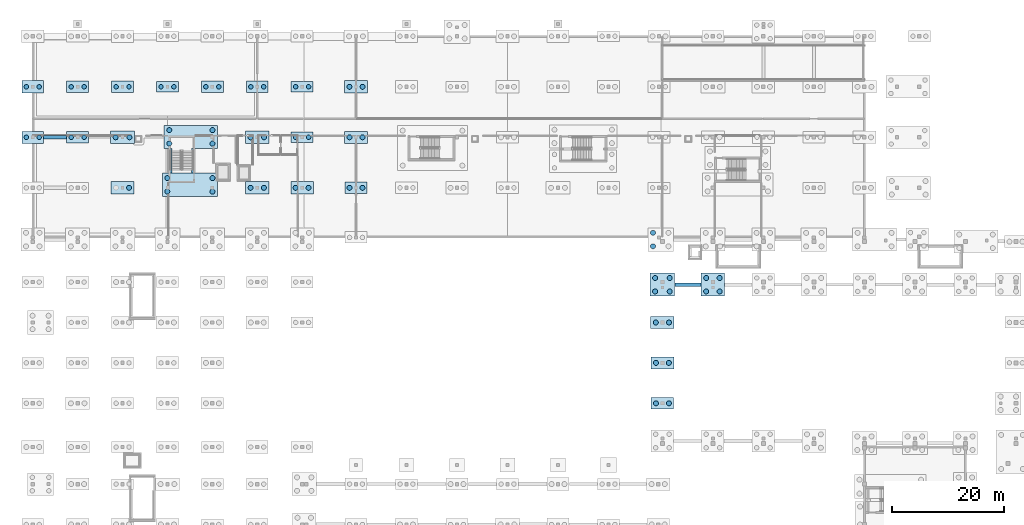
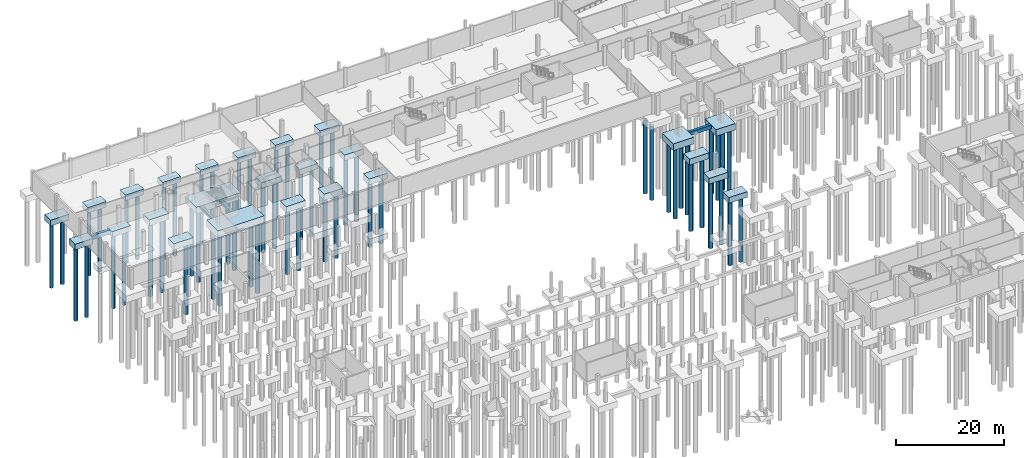
# One storey, part 7 of 36: 59 piles, 29 footings.
"""IFC4 building model written with IfcOpenShell, lengths in metres."""

from ifc_helpers import new_model, si_unit, direction, frame, origin, origin_2d, place, context, subcontext, project, spatial, rectangle, circle, extrude, material, layer, layer_set, material_profile, profile_set, type_object, element, save


model = new_model("IFC4")

# Units and contexts
model_context = context("Model", 3, precision=1e-05, world=origin(), true_north=direction((0.0, 1.0)))
body_context = subcontext(model_context, "Body", "Model", "MODEL_VIEW")
ifc_project = project(units=[si_unit("LENGTHUNIT", "METRE"), si_unit("AREAUNIT", "SQUARE_METRE"), si_unit("VOLUMEUNIT", "CUBIC_METRE"), si_unit("PLANEANGLEUNIT", "RADIAN"), si_unit("MASSUNIT", "GRAM", prefix="KILO")], contexts=[model_context])

# Site, building, storey
site_placement = place(None, origin())
site = spatial("IfcSite", under=ifc_project, at=site_placement, CompositionType="ELEMENT")
building_placement = place(site_placement, origin())
building = spatial("IfcBuilding", under=site, at=building_placement, Name="Chiffa Square Polytechnic", CompositionType="ELEMENT")
storey_placement = place(building_placement, frame((0.0, 0.0, -4.5)))
storey = spatial("IfcBuildingStorey", under=building, at=storey_placement, Name="B1", CompositionType="ELEMENT", Elevation=-4.5)

# Footings
ifc_material = material(Name="Concrete C35/45", Category="concrete")
ifc_layer_1 = layer(ifc_material, 0.8349609375, Name="Concrete C35/45")
ifc_layer_set_1 = layer_set([ifc_layer_1], Name="Concrete C35/45")
footing_type_1 = type_object("IfcFootingType", Name="FTG-BEAM-600X835", PredefinedType="FOOTING_BEAM", material=ifc_layer_set_1)
footing_1_placement = place(storey_placement, frame((116.75, 86.52490234375, -0.83544921875), z_axis=(0.0, 0.0, 1.0), x_axis=(1.0, 0.0, 0.0)))
element("IfcFooting", 1, at=footing_1_placement, inside=storey, type_object=footing_type_1, Name="Footing tie beam FB-B1-032", PredefinedType="FOOTING_BEAM", context=body_context, shape_type="SweptSolid", body=[
    extrude(rectangle(XDim=4.68994140625, YDim=0.60009765625, at=origin_2d()), origin(), (0.0, 0.0, 1.0), 0.8349609375),
])
ifc_layer_2 = layer(ifc_material, 0.93505859375, Name="Concrete C35/45")
ifc_layer_set_2 = layer_set([ifc_layer_2], Name="Concrete C35/45")
footing_type_2 = type_object("IfcFootingType", Name="FTG-BEAM-680X935", PredefinedType="FOOTING_BEAM", material=ifc_layer_set_2)
footing_2_placement = place(storey_placement, frame((4.0, 112.800048828125, -0.935546875), z_axis=(0.0, 0.0, 1.0), x_axis=(1.0, 0.0, 0.0)))
element("IfcFooting", 2, at=footing_2_placement, inside=storey, type_object=footing_type_2, Name="Footing tie beam FB-B1-048", PredefinedType="FOOTING_BEAM", context=body_context, shape_type="SweptSolid", body=[
    extrude(rectangle(XDim=4.090087890625, YDim=0.679931640625, at=origin_2d()), origin(), (0.0, 0.0, 1.0), 0.93505859375),
])
ifc_layer_3 = layer(ifc_material, 0.60009765625, Name="Concrete C35/45")
ifc_layer_set_3 = layer_set([ifc_layer_3], Name="Concrete C35/45")
footing_type_3 = type_object("IfcFootingType", Name="FTG-PAD-620X4360X600", PredefinedType="PAD_FOOTING", material=ifc_layer_set_3)
for number, where, z_axis, x_axis, name in (
    (3, (24.47998046875, 108.625, -0.60009765625), (0.0, 0.0, 1.0), (1.0, 0.0, 0.0), "Core pad footing PFG-CORE-CORE-V5A-W1"),
    (4, (28.6201171875, 108.625, -0.60009765625), (0.0, 0.0, 1.0), (1.0, 0.0, 0.0), "Core pad footing PFG-CORE-CORE-V5A-E1"),
):
    element("IfcFooting", number, at=place(storey_placement, frame(where, z_axis=z_axis, x_axis=x_axis)), inside=storey, type_object=footing_type_3, Name=name, PredefinedType="PAD_FOOTING", context=body_context, shape_type="SweptSolid", body=[
        extrude(rectangle(XDim=0.6201171875, YDim=4.360107421875, at=origin_2d()), origin(), (0.0, 0.0, 1.0), 0.60009765625),
    ])
ifc_layer_4 = layer(ifc_material, 1.199951171875, Name="Concrete C35/45")
ifc_layer_set_4 = layer_set([ifc_layer_4], Name="Concrete C35/45")
footing_type_4 = type_object("IfcFootingType", Name="FTG-PC-3900X1900X1200", PredefinedType="PILE_CAP", material=ifc_layer_set_4)
for number, where, z_axis, x_axis, name in (
    (5, (24.0, 121.800048828125, -1.2001953125), (0.0, 0.0, 1.0), (1.0, 0.0, 0.0), "Pile cap PC-B1-129"),
    (6, (48.0, 112.800048828125, -1.2001953125), (0.0, 0.0, 1.0), (1.0, 0.0, 0.0), "Pile cap PC-B1-141"),
):
    element("IfcFooting", number, at=place(storey_placement, frame(where, z_axis=z_axis, x_axis=x_axis)), inside=storey, type_object=footing_type_4, Name=name, PredefinedType="PILE_CAP", context=body_context, shape_type="SweptSolid", body=[
        extrude(rectangle(XDim=3.89990234375, YDim=1.89990234375, at=origin_2d()), origin(), (0.0, 0.0, 1.0), 1.199951171875),
    ])
ifc_layer_5 = layer(ifc_material, 1.199951171875, Name="Concrete C35/45")
ifc_layer_set_5 = layer_set([ifc_layer_5], Name="Concrete C35/45")
footing_type_5 = type_object("IfcFootingType", Name="FTG-PC-3900X1950X1200", PredefinedType="PILE_CAP", material=ifc_layer_set_5)
footing_3_placement = place(storey_placement, frame((48.0, 121.800048828125, -1.2001953125), z_axis=(0.0, 0.0, 1.0), x_axis=(1.0, 0.0, 0.0)))
element("IfcFooting", 7, at=footing_3_placement, inside=storey, type_object=footing_type_5, Name="Pile cap PC-B1-142", PredefinedType="PILE_CAP", context=body_context, shape_type="SweptSolid", body=[
    extrude(rectangle(XDim=3.89990234375, YDim=1.949951171875, at=origin_2d()), origin(), (0.0, 0.0, 1.0), 1.199951171875),
])
ifc_layer_6 = layer(ifc_material, 1.25, Name="Concrete C35/45")
ifc_layer_set_6 = layer_set([ifc_layer_6], Name="Concrete C35/45")
footing_type_6 = type_object("IfcFootingType", Name="FTG-PC-3900X2000X1250", PredefinedType="PILE_CAP", material=ifc_layer_set_6)
footing_4_placement = place(storey_placement, frame((8.0, 112.800048828125, -1.25), z_axis=(0.0, 0.0, 1.0), x_axis=(1.0, 0.0, 0.0)))
element("IfcFooting", 8, at=footing_4_placement, inside=storey, type_object=footing_type_6, Name="Pile cap PC-B1-119", PredefinedType="PILE_CAP", context=body_context, shape_type="SweptSolid", body=[
    extrude(rectangle(XDim=3.89990234375, YDim=2.0, at=origin_2d()), origin(), (0.0, 0.0, 1.0), 1.25),
])
ifc_layer_7 = layer(ifc_material, 1.219970703125, Name="Concrete C35/45")
ifc_layer_set_7 = layer_set([ifc_layer_7], Name="Concrete C35/45")
footing_type_7 = type_object("IfcFootingType", Name="FTG-PC-3900X2050X1220", PredefinedType="PILE_CAP", material=ifc_layer_set_7)
for number, where, z_axis, x_axis, name in (
    (9, (16.0, 121.800048828125, -1.22021484375), (0.0, 0.0, 1.0), (1.0, 0.0, 0.0), "Pile cap PC-B1-125"),
    (10, (40.0, 121.800048828125, -1.22021484375), (0.0, 0.0, 1.0), (1.0, 0.0, 0.0), "Pile cap PC-B1-137"),
):
    element("IfcFooting", number, at=place(storey_placement, frame(where, z_axis=z_axis, x_axis=x_axis)), inside=storey, type_object=footing_type_7, Name=name, PredefinedType="PILE_CAP", context=body_context, shape_type="SweptSolid", body=[
        extrude(rectangle(XDim=3.89990234375, YDim=2.050048828125, at=origin_2d()), origin(), (0.0, 0.0, 1.0), 1.219970703125),
    ])
ifc_layer_8 = layer(ifc_material, 1.25, Name="Concrete C35/45")
ifc_layer_set_8 = layer_set([ifc_layer_8], Name="Concrete C35/45")
footing_type_8 = type_object("IfcFootingType", Name="FTG-PC-3900X2050X1250", PredefinedType="PILE_CAP", material=ifc_layer_set_8)
for number, where, z_axis, x_axis, name in (
    (11, (8.0, 121.800048828125, -1.25), (0.0, 0.0, 1.0), (1.0, 0.0, 0.0), "Pile cap PC-B1-120"),
    (12, (32.0, 121.800048828125, -1.25), (0.0, 0.0, 1.0), (1.0, 0.0, 0.0), "Pile cap PC-B1-132"),
):
    element("IfcFooting", number, at=place(storey_placement, frame(where, z_axis=z_axis, x_axis=x_axis)), inside=storey, type_object=footing_type_8, Name=name, PredefinedType="PILE_CAP", context=body_context, shape_type="SweptSolid", body=[
        extrude(rectangle(XDim=3.89990234375, YDim=2.050048828125, at=origin_2d()), origin(), (0.0, 0.0, 1.0), 1.25),
    ])
ifc_layer_9 = layer(ifc_material, 1.280029296875, Name="Concrete C35/45")
ifc_layer_set_9 = layer_set([ifc_layer_9], Name="Concrete C35/45")
footing_type_9 = type_object("IfcFootingType", Name="FTG-PC-3900X2150X1280", PredefinedType="PILE_CAP", material=ifc_layer_set_9)
footing_5_placement = place(storey_placement, frame((0.0, 112.800048828125, -1.27978515625), z_axis=(0.0, 0.0, 1.0), x_axis=(1.0, 0.0, 0.0)))
element("IfcFooting", 13, at=footing_5_placement, inside=storey, type_object=footing_type_9, Name="Pile cap PC-B1-114", PredefinedType="PILE_CAP", context=body_context, shape_type="SweptSolid", body=[
    extrude(rectangle(XDim=3.89990234375, YDim=2.14990234375, at=origin_2d()), origin(), (0.0, 0.0, 1.0), 1.280029296875),
])
ifc_layer_10 = layer(ifc_material, 1.320068359375, Name="Concrete C35/45")
ifc_layer_set_10 = layer_set([ifc_layer_10], Name="Concrete C35/45")
footing_type_10 = type_object("IfcFootingType", Name="FTG-PC-3900X2250X1320", PredefinedType="PILE_CAP", material=ifc_layer_set_10)
footing_6_placement = place(storey_placement, frame((0.0, 121.800048828125, -1.31982421875), z_axis=(0.0, 0.0, 1.0), x_axis=(1.0, 0.0, 0.0)))
element("IfcFooting", 14, at=footing_6_placement, inside=storey, type_object=footing_type_10, Name="Pile cap PC-B1-115", PredefinedType="PILE_CAP", context=body_context, shape_type="SweptSolid", body=[
    extrude(rectangle(XDim=3.89990234375, YDim=2.25, at=origin_2d()), origin(), (0.0, 0.0, 1.0), 1.320068359375),
])
ifc_layer_11 = layer(ifc_material, 1.300048828125, Name="Concrete C35/45")
ifc_layer_set_11 = layer_set([ifc_layer_11], Name="Concrete C35/45")
footing_type_11 = type_object("IfcFootingType", Name="FTG-PC-4000X2100X1300", PredefinedType="PILE_CAP", material=ifc_layer_set_11)
for number, where, z_axis, x_axis, name in (
    (15, (112.199951171875, 65.39990234375, -1.2998046875), (0.0, 0.0, 1.0), (1.0, 0.0, 0.0), "Pile cap PC-B1-025"),
    (16, (57.60009765625, 103.800048828125, -1.2998046875), (0.0, 0.0, 1.0), (1.0, 0.0, 0.0), "Pile cap PC-B1-145"),
):
    element("IfcFooting", number, at=place(storey_placement, frame(where, z_axis=z_axis, x_axis=x_axis)), inside=storey, type_object=footing_type_11, Name=name, PredefinedType="PILE_CAP", context=body_context, shape_type="SweptSolid", body=[
        extrude(rectangle(XDim=4.0, YDim=2.10009765625, at=origin_2d()), origin(), (0.0, 0.0, 1.0), 1.300048828125),
    ])
ifc_layer_12 = layer(ifc_material, 1.3798828125, Name="Concrete C35/45")
ifc_layer_set_12 = layer_set([ifc_layer_12], Name="Concrete C35/45")
footing_type_12 = type_object("IfcFootingType", Name="FTG-PC-4000X2300X1380", PredefinedType="PILE_CAP", material=ifc_layer_set_12)
footing_7_placement = place(storey_placement, frame((48.0, 103.800048828125, -1.3798828125), z_axis=(0.0, 0.0, 1.0), x_axis=(1.0, 0.0, 0.0)))
element("IfcFooting", 17, at=footing_7_placement, inside=storey, type_object=footing_type_12, Name="Pile cap PC-B1-140", PredefinedType="PILE_CAP", context=body_context, shape_type="SweptSolid", body=[
    extrude(rectangle(XDim=4.0, YDim=2.300048828125, at=origin_2d()), origin(), (0.0, 0.0, 1.0), 1.3798828125),
])
ifc_layer_13 = layer(ifc_material, 1.300048828125, Name="Concrete C35/45")
ifc_layer_set_13 = layer_set([ifc_layer_13], Name="Concrete C35/45")
footing_type_13 = type_object("IfcFootingType", Name="FTG-PC-4050X2150X1300", PredefinedType="PILE_CAP", material=ifc_layer_set_13)
for number, where, z_axis, x_axis, name in (
    (18, (112.199951171875, 72.60009765625, -1.2998046875), (0.0, 0.0, 1.0), (1.0, 0.0, 0.0), "Pile cap PC-B1-026"),
    (19, (57.60009765625, 112.800048828125, -1.2998046875), (0.0, 0.0, 1.0), (1.0, 0.0, 0.0), "Pile cap PC-B1-146"),
):
    element("IfcFooting", number, at=place(storey_placement, frame(where, z_axis=z_axis, x_axis=x_axis)), inside=storey, type_object=footing_type_13, Name=name, PredefinedType="PILE_CAP", context=body_context, shape_type="SweptSolid", body=[
        extrude(rectangle(XDim=4.050048828125, YDim=2.14990234375, at=origin_2d()), origin(), (0.0, 0.0, 1.0), 1.300048828125),
    ])
ifc_layer_14 = layer(ifc_material, 1.35009765625, Name="Concrete C35/45")
ifc_layer_set_14 = layer_set([ifc_layer_14], Name="Concrete C35/45")
footing_type_14 = type_object("IfcFootingType", Name="FTG-PC-4150X2200X1350", PredefinedType="PILE_CAP", material=ifc_layer_set_14)
for number, where, z_axis, x_axis, name in (
    (20, (112.199951171875, 79.800048828125, -1.35009765625), (0.0, 0.0, 1.0), (1.0, 0.0, 0.0), "Pile cap PC-B1-027"),
    (21, (16.0, 103.800048828125, -1.35009765625), (0.0, 0.0, 1.0), (1.0, 0.0, 0.0), "Pile cap PC-B1-123"),
    (22, (40.0, 103.800048828125, -1.35009765625), (0.0, 0.0, 1.0), (1.0, 0.0, 0.0), "Pile cap PC-B1-135"),
    (23, (57.60009765625, 121.800048828125, -1.35009765625), (0.0, 0.0, 1.0), (1.0, 0.0, 0.0), "Pile cap PC-B1-147"),
):
    element("IfcFooting", number, at=place(storey_placement, frame(where, z_axis=z_axis, x_axis=x_axis)), inside=storey, type_object=footing_type_14, Name=name, PredefinedType="PILE_CAP", context=body_context, shape_type="SweptSolid", body=[
        extrude(rectangle(XDim=4.14990234375, YDim=2.199951171875, at=origin_2d()), origin(), (0.0, 0.0, 1.0), 1.35009765625),
    ])
ifc_layer_15 = layer(ifc_material, 1.47998046875, Name="Concrete C35/45")
ifc_layer_set_15 = layer_set([ifc_layer_15], Name="Concrete C35/45")
footing_type_15 = type_object("IfcFootingType", Name="FTG-PC-4200X4100X1480", PredefinedType="PILE_CAP", material=ifc_layer_set_15)
footing_8_placement = place(storey_placement, frame((121.199951171875, 86.52490234375, -1.47998046875), z_axis=(0.0, 0.0, 1.0), x_axis=(1.0, 0.0, 0.0)))
element("IfcFooting", 24, at=footing_8_placement, inside=storey, type_object=footing_type_15, Name="Pile cap PC-B1-031", PredefinedType="PILE_CAP", context=body_context, shape_type="SweptSolid", body=[
    extrude(rectangle(XDim=4.199951171875, YDim=4.10009765625, at=origin_2d()), origin(), (0.0, 0.0, 1.0), 1.47998046875),
])
ifc_layer_16 = layer(ifc_material, 1.35009765625, Name="Concrete C35/45")
ifc_layer_set_16 = layer_set([ifc_layer_16], Name="Concrete C35/45")
footing_type_16 = type_object("IfcFootingType", Name="FTG-PC-4250X2250X1350", PredefinedType="PILE_CAP", material=ifc_layer_set_16)
for number, where, z_axis, x_axis, name in (
    (25, (16.0, 112.800048828125, -1.35009765625), (0.0, 0.0, 1.0), (1.0, 0.0, 0.0), "Pile cap PC-B1-124"),
    (26, (40.0, 112.800048828125, -1.35009765625), (0.0, 0.0, 1.0), (1.0, 0.0, 0.0), "Pile cap PC-B1-136"),
):
    element("IfcFooting", number, at=place(storey_placement, frame(where, z_axis=z_axis, x_axis=x_axis)), inside=storey, type_object=footing_type_16, Name=name, PredefinedType="PILE_CAP", context=body_context, shape_type="SweptSolid", body=[
        extrude(rectangle(XDim=4.25, YDim=2.25, at=origin_2d()), origin(), (0.0, 0.0, 1.0), 1.35009765625),
    ])
ifc_layer_17 = layer(ifc_material, 1.550048828125, Name="Concrete C35/45")
ifc_layer_set_17 = layer_set([ifc_layer_17], Name="Concrete C35/45")
footing_type_17 = type_object("IfcFootingType", Name="FTG-PC-4400X4100X1550", PredefinedType="PILE_CAP", material=ifc_layer_set_17)
footing_9_placement = place(storey_placement, frame((112.199951171875, 86.52490234375, -1.5498046875), z_axis=(0.0, 0.0, 1.0), x_axis=(1.0, 0.0, 0.0)))
element("IfcFooting", 27, at=footing_9_placement, inside=storey, type_object=footing_type_17, Name="Pile cap PC-B1-028", PredefinedType="PILE_CAP", context=body_context, shape_type="SweptSolid", body=[
    extrude(rectangle(XDim=4.39990234375, YDim=4.10009765625, at=origin_2d()), origin(), (0.0, 0.0, 1.0), 1.550048828125),
])
ifc_layer_18 = layer(ifc_material, 1.5, Name="Concrete C35/45")
ifc_layer_set_18 = layer_set([ifc_layer_18], Name="Concrete C35/45")
footing_type_18 = type_object("IfcFootingType", Name="FTG-PC-9500X4100X1500", PredefinedType="PILE_CAP", material=ifc_layer_set_18)
footing_10_placement = place(storey_placement, frame((28.175048828125, 112.875, -1.5), z_axis=(0.0, 0.0, 1.0), x_axis=(1.0, 0.0, 0.0)))
element("IfcFooting", 28, at=footing_10_placement, inside=storey, type_object=footing_type_18, Name="Pile cap PC-B1-228", PredefinedType="PILE_CAP", context=body_context, shape_type="SweptSolid", body=[
    extrude(rectangle(XDim=9.5, YDim=4.10009765625, at=origin_2d()), origin(), (0.0, 0.0, 1.0), 1.5),
])
ifc_layer_19 = layer(ifc_material, 1.60009765625, Name="Concrete C35/45")
ifc_layer_set_19 = layer_set([ifc_layer_19], Name="Concrete C35/45")
footing_type_19 = type_object("IfcFootingType", Name="FTG-PC-9850X4200X1600", PredefinedType="PILE_CAP", material=ifc_layer_set_19)
footing_11_placement = place(storey_placement, frame((28.0, 104.324951171875, -1.60009765625), z_axis=(0.0, 0.0, 1.0), x_axis=(1.0, 0.0, 0.0)))
element("IfcFooting", 29, at=footing_11_placement, inside=storey, type_object=footing_type_19, Name="Pile cap PC-B1-128", PredefinedType="PILE_CAP", context=body_context, shape_type="SweptSolid", body=[
    extrude(rectangle(XDim=9.85009765625, YDim=4.199951171875, at=origin_2d()), origin(), (0.0, 0.0, 1.0), 1.60009765625),
])

# Piles
ifc_material_profile_1 = material_profile(ifc_material, circle(Radius=0.39990234375, at=origin_2d()), Name="PILE D800")
ifc_profile_set_1 = profile_set([ifc_material_profile_1], Name="Concrete C35/45")
pile_type_1 = type_object("IfcPileType", Name="PILE-D800", PredefinedType="BORED", material=ifc_profile_set_1)
for number, where, z_axis, x_axis, name in (
    (30, (-1.14990234375, 112.800048828125, -1.179931640625), (0.0, 0.0, -1.0), (1.0, 0.0, 0.0), "Bored pile PL-B1--012-1128-1"),
    (31, (1.14990234375, 112.800048828125, -1.179931640625), (0.0, 0.0, -1.0), (1.0, 0.0, 0.0), "Bored pile PL-B1-0012-1128-2"),
):
    element("IfcPile", number, at=place(storey_placement, frame(where, z_axis=z_axis, x_axis=x_axis)), inside=storey, type_object=pile_type_1, Name=name, PredefinedType="BORED", context=body_context, shape_type="SweptSolid", body=[
        extrude(circle(Radius=0.39990234375, at=origin_2d()), origin(), (0.0, 0.0, 1.0), 16.820068359375),
    ])
for number, where, z_axis, x_axis, name in (
    (32, (-1.14990234375, 121.800048828125, -1.219970703125), (0.0, 0.0, -1.0), (1.0, 0.0, 0.0), "Bored pile PL-B1--012-1218-1"),
    (33, (1.14990234375, 121.800048828125, -1.219970703125), (0.0, 0.0, -1.0), (1.0, 0.0, 0.0), "Bored pile PL-B1-0012-1218-2"),
):
    element("IfcPile", number, at=place(storey_placement, frame(where, z_axis=z_axis, x_axis=x_axis)), inside=storey, type_object=pile_type_1, Name=name, PredefinedType="BORED", context=body_context, shape_type="SweptSolid", body=[
        extrude(circle(Radius=0.39990234375, at=origin_2d()), origin(), (0.0, 0.0, 1.0), 14.780029296875),
    ])
for number, where, z_axis, x_axis, name in (
    (34, (6.85009765625, 112.800048828125, -1.14990234375), (0.0, 0.0, -1.0), (1.0, 0.0, 0.0), "Bored pile PL-B1-0068-1128-1"),
    (35, (9.14990234375, 112.800048828125, -1.14990234375), (0.0, 0.0, -1.0), (1.0, 0.0, 0.0), "Bored pile PL-B1-0092-1128-2"),
):
    element("IfcPile", number, at=place(storey_placement, frame(where, z_axis=z_axis, x_axis=x_axis)), inside=storey, type_object=pile_type_1, Name=name, PredefinedType="BORED", context=body_context, shape_type="SweptSolid", body=[
        extrude(circle(Radius=0.39990234375, at=origin_2d()), origin(), (0.0, 0.0, 1.0), 16.85009765625),
    ])
for number, where, z_axis, x_axis, name in (
    (36, (6.85009765625, 121.800048828125, -1.14990234375), (0.0, 0.0, -1.0), (1.0, 0.0, 0.0), "Bored pile PL-B1-0068-1218-1"),
    (37, (9.14990234375, 121.800048828125, -1.14990234375), (0.0, 0.0, -1.0), (1.0, 0.0, 0.0), "Bored pile PL-B1-0092-1218-2"),
):
    element("IfcPile", number, at=place(storey_placement, frame(where, z_axis=z_axis, x_axis=x_axis)), inside=storey, type_object=pile_type_1, Name=name, PredefinedType="BORED", context=body_context, shape_type="SweptSolid", body=[
        extrude(circle(Radius=0.39990234375, at=origin_2d()), origin(), (0.0, 0.0, 1.0), 14.85009765625),
    ])
for number, where, z_axis, x_axis, name in (
    (38, (14.85009765625, 121.800048828125, -1.1201171875), (0.0, 0.0, -1.0), (1.0, 0.0, 0.0), "Bored pile PL-B1-0148-1218-1"),
    (39, (17.14990234375, 121.800048828125, -1.1201171875), (0.0, 0.0, -1.0), (1.0, 0.0, 0.0), "Bored pile PL-B1-0172-1218-2"),
):
    element("IfcPile", number, at=place(storey_placement, frame(where, z_axis=z_axis, x_axis=x_axis)), inside=storey, type_object=pile_type_1, Name=name, PredefinedType="BORED", context=body_context, shape_type="SweptSolid", body=[
        extrude(circle(Radius=0.39990234375, at=origin_2d()), origin(), (0.0, 0.0, 1.0), 14.8798828125),
    ])
for number, where, z_axis, x_axis, name in (
    (40, (22.85009765625, 121.800048828125, -1.10009765625), (0.0, 0.0, -1.0), (1.0, 0.0, 0.0), "Bored pile PL-B1-0228-1218-1"),
    (41, (25.14990234375, 121.800048828125, -1.10009765625), (0.0, 0.0, -1.0), (1.0, 0.0, 0.0), "Bored pile PL-B1-0252-1218-2"),
):
    element("IfcPile", number, at=place(storey_placement, frame(where, z_axis=z_axis, x_axis=x_axis)), inside=storey, type_object=pile_type_1, Name=name, PredefinedType="BORED", context=body_context, shape_type="SweptSolid", body=[
        extrude(circle(Radius=0.39990234375, at=origin_2d()), origin(), (0.0, 0.0, 1.0), 16.89990234375),
    ])
for number, where, z_axis, x_axis, name in (
    (42, (30.85009765625, 121.800048828125, -1.14990234375), (0.0, 0.0, -1.0), (1.0, 0.0, 0.0), "Bored pile PL-B1-0308-1218-1"),
    (43, (33.14990234375, 121.800048828125, -1.14990234375), (0.0, 0.0, -1.0), (1.0, 0.0, 0.0), "Bored pile PL-B1-0332-1218-2"),
):
    element("IfcPile", number, at=place(storey_placement, frame(where, z_axis=z_axis, x_axis=x_axis)), inside=storey, type_object=pile_type_1, Name=name, PredefinedType="BORED", context=body_context, shape_type="SweptSolid", body=[
        extrude(circle(Radius=0.39990234375, at=origin_2d()), origin(), (0.0, 0.0, 1.0), 15.85009765625),
    ])
for number, where, z_axis, x_axis, name in (
    (44, (38.85009765625, 121.800048828125, -1.1201171875), (0.0, 0.0, -1.0), (1.0, 0.0, 0.0), "Bored pile PL-B1-0388-1218-1"),
    (45, (41.14990234375, 121.800048828125, -1.1201171875), (0.0, 0.0, -1.0), (1.0, 0.0, 0.0), "Bored pile PL-B1-0412-1218-2"),
):
    element("IfcPile", number, at=place(storey_placement, frame(where, z_axis=z_axis, x_axis=x_axis)), inside=storey, type_object=pile_type_1, Name=name, PredefinedType="BORED", context=body_context, shape_type="SweptSolid", body=[
        extrude(circle(Radius=0.39990234375, at=origin_2d()), origin(), (0.0, 0.0, 1.0), 15.8798828125),
    ])
for number, where, z_axis, x_axis, name in (
    (46, (46.85009765625, 112.800048828125, -1.10009765625), (0.0, 0.0, -1.0), (1.0, 0.0, 0.0), "Bored pile PL-B1-0468-1128-1"),
    (47, (49.14990234375, 112.800048828125, -1.10009765625), (0.0, 0.0, -1.0), (1.0, 0.0, 0.0), "Bored pile PL-B1-0492-1128-2"),
):
    element("IfcPile", number, at=place(storey_placement, frame(where, z_axis=z_axis, x_axis=x_axis)), inside=storey, type_object=pile_type_1, Name=name, PredefinedType="BORED", context=body_context, shape_type="SweptSolid", body=[
        extrude(circle(Radius=0.39990234375, at=origin_2d()), origin(), (0.0, 0.0, 1.0), 15.39990234375),
    ])
for number, where, z_axis, x_axis, name in (
    (48, (46.85009765625, 121.800048828125, -1.10009765625), (0.0, 0.0, -1.0), (1.0, 0.0, 0.0), "Bored pile PL-B1-0468-1218-1"),
    (49, (49.14990234375, 121.800048828125, -1.10009765625), (0.0, 0.0, -1.0), (1.0, 0.0, 0.0), "Bored pile PL-B1-0492-1218-2"),
):
    element("IfcPile", number, at=place(storey_placement, frame(where, z_axis=z_axis, x_axis=x_axis)), inside=storey, type_object=pile_type_1, Name=name, PredefinedType="BORED", context=body_context, shape_type="SweptSolid", body=[
        extrude(circle(Radius=0.39990234375, at=origin_2d()), origin(), (0.0, 0.0, 1.0), 15.89990234375),
    ])
ifc_material_profile_2 = material_profile(ifc_material, circle(Radius=0.449951171875, at=origin_2d()), Name="PILE D900")
ifc_profile_set_2 = profile_set([ifc_material_profile_2], Name="Concrete C35/45")
pile_type_2 = type_object("IfcPileType", Name="PILE-D900", PredefinedType="BORED", material=ifc_profile_set_2)
for number, where, z_axis, x_axis, name in (
    (50, (111.050048828125, 65.39990234375, -1.199951171875), (0.0, 0.0, -1.0), (1.0, 0.0, 0.0), "Bored pile PL-B1-1110-0654-1"),
    (51, (113.35009765625, 65.39990234375, -1.199951171875), (0.0, 0.0, -1.0), (1.0, 0.0, 0.0), "Bored pile PL-B1-1134-0654-2"),
):
    element("IfcPile", number, at=place(storey_placement, frame(where, z_axis=z_axis, x_axis=x_axis)), inside=storey, type_object=pile_type_2, Name=name, PredefinedType="BORED", context=body_context, shape_type="SweptSolid", body=[
        extrude(circle(Radius=0.449951171875, at=origin_2d()), origin(), (0.0, 0.0, 1.0), 14.800048828125),
    ])
for number, where, z_axis, x_axis, name in (
    (52, (111.050048828125, 72.60009765625, -1.199951171875), (0.0, 0.0, -1.0), (1.0, 0.0, 0.0), "Bored pile PL-B1-1110-0726-1"),
    (53, (113.35009765625, 72.60009765625, -1.199951171875), (0.0, 0.0, -1.0), (1.0, 0.0, 0.0), "Bored pile PL-B1-1134-0726-2"),
):
    element("IfcPile", number, at=place(storey_placement, frame(where, z_axis=z_axis, x_axis=x_axis)), inside=storey, type_object=pile_type_2, Name=name, PredefinedType="BORED", context=body_context, shape_type="SweptSolid", body=[
        extrude(circle(Radius=0.449951171875, at=origin_2d()), origin(), (0.0, 0.0, 1.0), 15.300048828125),
    ])
for number, where, z_axis, x_axis, name in (
    (54, (111.02490234375, 79.800048828125, -1.25), (0.0, 0.0, -1.0), (1.0, 0.0, 0.0), "Bored pile PL-B1-1110-0798-1"),
    (55, (113.375, 79.800048828125, -1.25), (0.0, 0.0, -1.0), (1.0, 0.0, 0.0), "Bored pile PL-B1-1134-0798-2"),
):
    element("IfcPile", number, at=place(storey_placement, frame(where, z_axis=z_axis, x_axis=x_axis)), inside=storey, type_object=pile_type_2, Name=name, PredefinedType="BORED", context=body_context, shape_type="SweptSolid", body=[
        extrude(circle(Radius=0.449951171875, at=origin_2d()), origin(), (0.0, 0.0, 1.0), 15.75),
    ])
for number, where, z_axis, x_axis, name in (
    (56, (110.89990234375, 85.324951171875, -1.449951171875), (0.0, 0.0, -1.0), (1.0, 0.0, 0.0), "Bored pile PL-B1-1109-0853-1"),
    (57, (113.5, 85.324951171875, -1.449951171875), (0.0, 0.0, -1.0), (1.0, 0.0, 0.0), "Bored pile PL-B1-1135-0853-2"),
    (58, (110.89990234375, 87.72509765625, -1.449951171875), (0.0, 0.0, -1.0), (1.0, 0.0, 0.0), "Bored pile PL-B1-1109-0877-3"),
    (59, (113.5, 87.72509765625, -1.449951171875), (0.0, 0.0, -1.0), (1.0, 0.0, 0.0), "Bored pile PL-B1-1135-0877-4"),
):
    element("IfcPile", number, at=place(storey_placement, frame(where, z_axis=z_axis, x_axis=x_axis)), inside=storey, type_object=pile_type_2, Name=name, PredefinedType="BORED", context=body_context, shape_type="SweptSolid", body=[
        extrude(circle(Radius=0.449951171875, at=origin_2d()), origin(), (0.0, 0.0, 1.0), 16.050048828125),
    ])
for number, where, z_axis, x_axis, name in (
    (60, (110.52490234375, 93.375, -1.5), (0.0, 0.0, -1.0), (1.0, 0.0, 0.0), "Bored pile PL-B1-1105-0934-1"),
    (61, (110.52490234375, 95.77490234375, -1.5), (0.0, 0.0, -1.0), (1.0, 0.0, 0.0), "Bored pile PL-B1-1105-0958-3"),
):
    element("IfcPile", number, at=place(storey_placement, frame(where, z_axis=z_axis, x_axis=x_axis)), inside=storey, type_object=pile_type_2, Name=name, PredefinedType="BORED", context=body_context, shape_type="SweptSolid", body=[
        extrude(circle(Radius=0.449951171875, at=origin_2d()), origin(), (0.0, 0.0, 1.0), 16.5),
    ])
for number, where, z_axis, x_axis, name in (
    (62, (120.0, 85.324951171875, -1.3798828125), (0.0, 0.0, -1.0), (1.0, 0.0, 0.0), "Bored pile PL-B1-1200-0853-1"),
    (63, (122.39990234375, 85.324951171875, -1.3798828125), (0.0, 0.0, -1.0), (1.0, 0.0, 0.0), "Bored pile PL-B1-1224-0853-2"),
    (64, (120.0, 87.72509765625, -1.3798828125), (0.0, 0.0, -1.0), (1.0, 0.0, 0.0), "Bored pile PL-B1-1200-0877-3"),
    (65, (122.39990234375, 87.72509765625, -1.3798828125), (0.0, 0.0, -1.0), (1.0, 0.0, 0.0), "Bored pile PL-B1-1224-0877-4"),
):
    element("IfcPile", number, at=place(storey_placement, frame(where, z_axis=z_axis, x_axis=x_axis)), inside=storey, type_object=pile_type_2, Name=name, PredefinedType="BORED", context=body_context, shape_type="SweptSolid", body=[
        extrude(circle(Radius=0.449951171875, at=origin_2d()), origin(), (0.0, 0.0, 1.0), 15.1201171875),
    ])
pile_placement = place(storey_placement, frame((17.175048828125, 103.800048828125, -1.25), z_axis=(0.0, 0.0, -1.0), x_axis=(1.0, 0.0, 0.0)))
element("IfcPile", 66, at=pile_placement, inside=storey, type_object=pile_type_2, Name="Bored pile PL-B1-0172-1038-2", PredefinedType="BORED", context=body_context, shape_type="SweptSolid", body=[
    extrude(circle(Radius=0.449951171875, at=origin_2d()), origin(), (0.0, 0.0, 1.0), 16.25),
])
for number, where, z_axis, x_axis, name in (
    (67, (14.77490234375, 112.800048828125, -1.25), (0.0, 0.0, -1.0), (1.0, 0.0, 0.0), "Bored pile PL-B1-0148-1128-1"),
    (68, (17.22509765625, 112.800048828125, -1.25), (0.0, 0.0, -1.0), (1.0, 0.0, 0.0), "Bored pile PL-B1-0172-1128-2"),
):
    element("IfcPile", number, at=place(storey_placement, frame(where, z_axis=z_axis, x_axis=x_axis)), inside=storey, type_object=pile_type_2, Name=name, PredefinedType="BORED", context=body_context, shape_type="SweptSolid", body=[
        extrude(circle(Radius=0.449951171875, at=origin_2d()), origin(), (0.0, 0.0, 1.0), 16.75),
    ])
for number, where, z_axis, x_axis, name in (
    (69, (23.97509765625, 103.125, -1.5), (0.0, 0.0, -1.0), (1.0, 0.0, 0.0), "Bored pile PL-B1-0240-1031-1"),
    (70, (32.02490234375, 103.125, -1.5), (0.0, 0.0, -1.0), (1.0, 0.0, 0.0), "Bored pile PL-B1-0320-1031-2"),
    (71, (23.97509765625, 105.52490234375, -1.5), (0.0, 0.0, -1.0), (1.0, 0.0, 0.0), "Bored pile PL-B1-0240-1055-3"),
    (72, (32.02490234375, 105.52490234375, -1.5), (0.0, 0.0, -1.0), (1.0, 0.0, 0.0), "Bored pile PL-B1-0320-1055-4"),
):
    element("IfcPile", number, at=place(storey_placement, frame(where, z_axis=z_axis, x_axis=x_axis)), inside=storey, type_object=pile_type_2, Name=name, PredefinedType="BORED", context=body_context, shape_type="SweptSolid", body=[
        extrude(circle(Radius=0.449951171875, at=origin_2d()), origin(), (0.0, 0.0, 1.0), 16.0),
    ])
for number, where, z_axis, x_axis, name in (
    (73, (38.824951171875, 103.800048828125, -1.25), (0.0, 0.0, -1.0), (1.0, 0.0, 0.0), "Bored pile PL-B1-0388-1038-1"),
    (74, (41.175048828125, 103.800048828125, -1.25), (0.0, 0.0, -1.0), (1.0, 0.0, 0.0), "Bored pile PL-B1-0412-1038-2"),
):
    element("IfcPile", number, at=place(storey_placement, frame(where, z_axis=z_axis, x_axis=x_axis)), inside=storey, type_object=pile_type_2, Name=name, PredefinedType="BORED", context=body_context, shape_type="SweptSolid", body=[
        extrude(circle(Radius=0.449951171875, at=origin_2d()), origin(), (0.0, 0.0, 1.0), 14.75),
    ])
for number, where, z_axis, x_axis, name in (
    (75, (38.77490234375, 112.800048828125, -1.25), (0.0, 0.0, -1.0), (1.0, 0.0, 0.0), "Bored pile PL-B1-0388-1128-1"),
    (76, (41.22509765625, 112.800048828125, -1.25), (0.0, 0.0, -1.0), (1.0, 0.0, 0.0), "Bored pile PL-B1-0412-1128-2"),
):
    element("IfcPile", number, at=place(storey_placement, frame(where, z_axis=z_axis, x_axis=x_axis)), inside=storey, type_object=pile_type_2, Name=name, PredefinedType="BORED", context=body_context, shape_type="SweptSolid", body=[
        extrude(circle(Radius=0.449951171875, at=origin_2d()), origin(), (0.0, 0.0, 1.0), 15.25),
    ])
for number, where, z_axis, x_axis, name in (
    (77, (46.85009765625, 103.800048828125, -1.280029296875), (0.0, 0.0, -1.0), (1.0, 0.0, 0.0), "Bored pile PL-B1-0468-1038-1"),
    (78, (49.14990234375, 103.800048828125, -1.280029296875), (0.0, 0.0, -1.0), (1.0, 0.0, 0.0), "Bored pile PL-B1-0492-1038-2"),
):
    element("IfcPile", number, at=place(storey_placement, frame(where, z_axis=z_axis, x_axis=x_axis)), inside=storey, type_object=pile_type_2, Name=name, PredefinedType="BORED", context=body_context, shape_type="SweptSolid", body=[
        extrude(circle(Radius=0.449951171875, at=origin_2d()), origin(), (0.0, 0.0, 1.0), 14.719970703125),
    ])
for number, where, z_axis, x_axis, name in (
    (79, (56.449951171875, 103.800048828125, -1.199951171875), (0.0, 0.0, -1.0), (1.0, 0.0, 0.0), "Bored pile PL-B1-0564-1038-1"),
    (80, (58.75, 103.800048828125, -1.199951171875), (0.0, 0.0, -1.0), (1.0, 0.0, 0.0), "Bored pile PL-B1-0588-1038-2"),
):
    element("IfcPile", number, at=place(storey_placement, frame(where, z_axis=z_axis, x_axis=x_axis)), inside=storey, type_object=pile_type_2, Name=name, PredefinedType="BORED", context=body_context, shape_type="SweptSolid", body=[
        extrude(circle(Radius=0.449951171875, at=origin_2d()), origin(), (0.0, 0.0, 1.0), 14.800048828125),
    ])
for number, where, z_axis, x_axis, name in (
    (81, (56.449951171875, 112.800048828125, -1.199951171875), (0.0, 0.0, -1.0), (1.0, 0.0, 0.0), "Bored pile PL-B1-0564-1128-1"),
    (82, (58.75, 112.800048828125, -1.199951171875), (0.0, 0.0, -1.0), (1.0, 0.0, 0.0), "Bored pile PL-B1-0588-1128-2"),
):
    element("IfcPile", number, at=place(storey_placement, frame(where, z_axis=z_axis, x_axis=x_axis)), inside=storey, type_object=pile_type_2, Name=name, PredefinedType="BORED", context=body_context, shape_type="SweptSolid", body=[
        extrude(circle(Radius=0.449951171875, at=origin_2d()), origin(), (0.0, 0.0, 1.0), 15.300048828125),
    ])
for number, where, z_axis, x_axis, name in (
    (83, (56.425048828125, 121.800048828125, -1.25), (0.0, 0.0, -1.0), (1.0, 0.0, 0.0), "Bored pile PL-B1-0564-1218-1"),
    (84, (58.77490234375, 121.800048828125, -1.25), (0.0, 0.0, -1.0), (1.0, 0.0, 0.0), "Bored pile PL-B1-0588-1218-2"),
):
    element("IfcPile", number, at=place(storey_placement, frame(where, z_axis=z_axis, x_axis=x_axis)), inside=storey, type_object=pile_type_2, Name=name, PredefinedType="BORED", context=body_context, shape_type="SweptSolid", body=[
        extrude(circle(Radius=0.449951171875, at=origin_2d()), origin(), (0.0, 0.0, 1.0), 15.75),
    ])
for number, where, z_axis, x_axis, name in (
    (85, (24.324951171875, 111.675048828125, -1.39990234375), (0.0, 0.0, -1.0), (1.0, 0.0, 0.0), "Bored pile PL-B1-0243-1117-1"),
    (86, (32.02490234375, 111.675048828125, -1.39990234375), (0.0, 0.0, -1.0), (1.0, 0.0, 0.0), "Bored pile PL-B1-0320-1117-2"),
    (87, (24.324951171875, 114.074951171875, -1.39990234375), (0.0, 0.0, -1.0), (1.0, 0.0, 0.0), "Bored pile PL-B1-0243-1141-3"),
    (88, (32.02490234375, 114.074951171875, -1.39990234375), (0.0, 0.0, -1.0), (1.0, 0.0, 0.0), "Bored pile PL-B1-0320-1141-4"),
):
    element("IfcPile", number, at=place(storey_placement, frame(where, z_axis=z_axis, x_axis=x_axis)), inside=storey, type_object=pile_type_2, Name=name, PredefinedType="BORED", context=body_context, shape_type="SweptSolid", body=[
        extrude(circle(Radius=0.449951171875, at=origin_2d()), origin(), (0.0, 0.0, 1.0), 16.10009765625),
    ])

save(model, "model.ifc")
